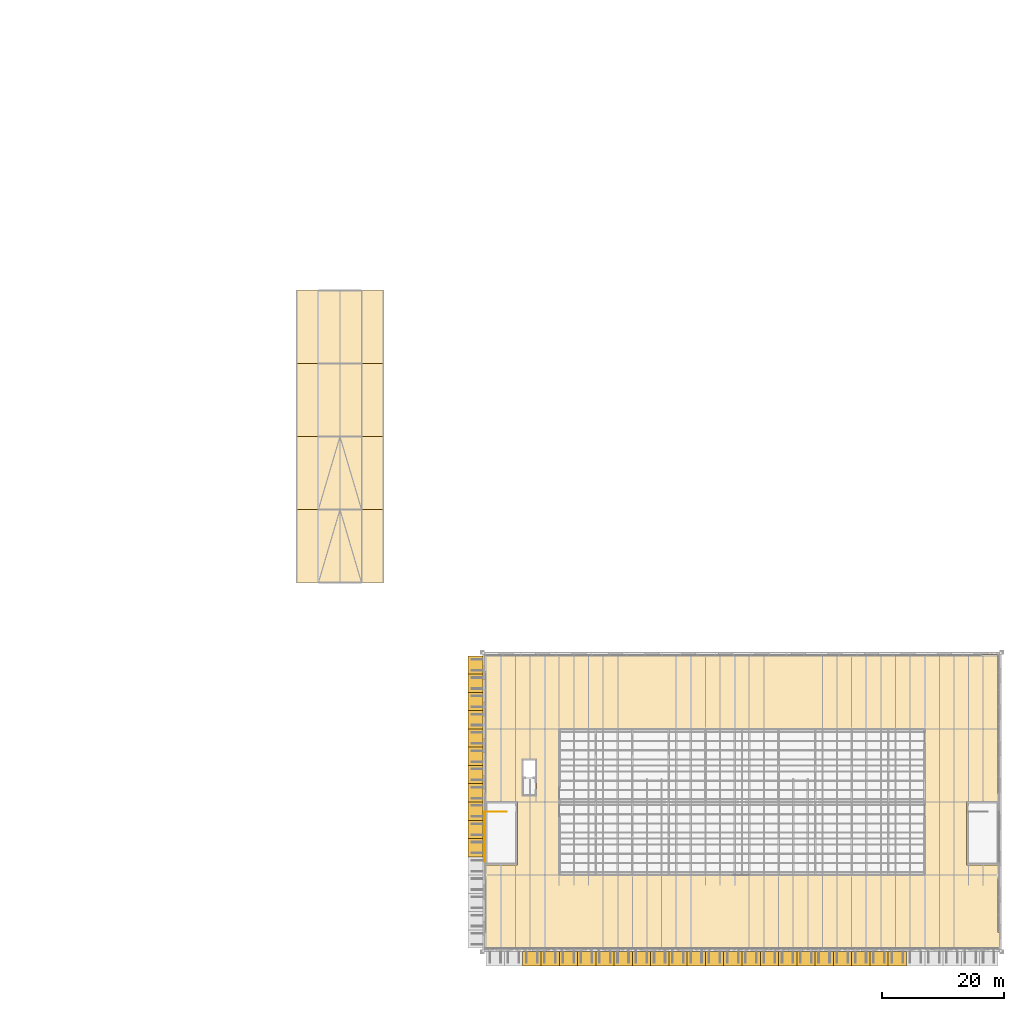
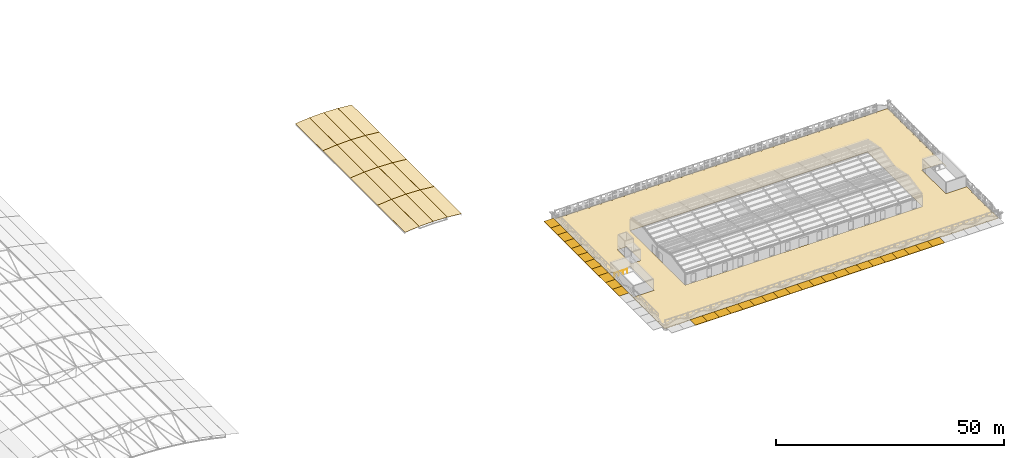
# One storey, part 89 of 91: 32 shading devices, 20 coverings, 1 railing.
"""IFC4 building model written with IfcOpenShell, lengths in metres."""

from ifc_helpers import new_model, si_unit, direction, frame, origin, origin_2d, place, context, subcontext, project, spatial, polyline, rectangle, circle, outline, extrude, material, layer, layer_set, type_object, element, save


model = new_model("IFC4")

# Units and contexts
model_context = context("Model", 3, precision=1e-05, world=origin(), true_north=direction((0.0, 1.0)))
body_context = subcontext(model_context, "Body", "Model", "MODEL_VIEW")
ifc_project = project(units=[si_unit("LENGTHUNIT", "METRE"), si_unit("AREAUNIT", "SQUARE_METRE"), si_unit("VOLUMEUNIT", "CUBIC_METRE"), si_unit("PLANEANGLEUNIT", "RADIAN"), si_unit("MASSUNIT", "GRAM", prefix="KILO")], contexts=[model_context])

# Site, building, storey
site_placement = place(None, origin())
site = spatial("IfcSite", under=ifc_project, at=site_placement, CompositionType="ELEMENT")
building_placement = place(site_placement, origin())
building = spatial("IfcBuilding", under=site, at=building_placement, Name="Ravi Spectrum Wholesale Market", CompositionType="ELEMENT")
storey_placement = place(building_placement, frame((0.0, 0.0, 16.199951171875)))
storey = spatial("IfcBuildingStorey", under=building, at=storey_placement, Name="ROOF PLANT LEVEL", CompositionType="ELEMENT", Elevation=16.199951171875)

# Railing
ifc_material_1 = material(Name="Steel S355", Category="steel")
railing_type = type_object("IfcRailingType", Name="Guard 1100", PredefinedType="GUARDRAIL", material=ifc_material_1)
railing_placement = place(storey_placement, frame((198.14990234375, 40.39990234375, 0.0)))
element("IfcRailing", 1, at=railing_placement, inside=storey, type_object=railing_type, Name="ROOF PLANT LEVEL S-CS-1 top well guard 1", PredefinedType="GUARDRAIL", context=body_context, shape_type="SweptSolid", body=[
    extrude(circle(Radius=0.02392578125, at=origin_2d()), frame((0.0, 0.0, 1.076171875), z_axis=(1.0, 0.0, 0.0), x_axis=(0.0, 1.0, 0.0)), (0.0, 0.0, 1.0), 3.2001953125),
    extrude(circle(Radius=0.02099609375, at=origin_2d()), origin(), (0.0, 0.0, 1.0), 1.052001953125),
    extrude(circle(Radius=0.02099609375, at=origin_2d()), frame((1.066650390625, 0.0, 0.0)), (0.0, 0.0, 1.0), 1.052001953125),
    extrude(circle(Radius=0.02099609375, at=origin_2d()), frame((2.133544921875, 0.0, 0.0)), (0.0, 0.0, 1.0), 1.052001953125),
    extrude(circle(Radius=0.02099609375, at=origin_2d()), frame((3.2001953125, 0.0, 0.0)), (0.0, 0.0, 1.0), 1.052001953125),
])

# Shading devices
ifc_material_2 = material(Name="Powder-coated aluminium louvres", Category="aluminium")
ifc_layer_1 = layer(ifc_material_2, 0.1201171875)
ifc_layer_set_1 = layer_set([ifc_layer_1], Name="Powder-coated aluminium louvres")
shading_device_type = type_object("IfcShadingDeviceType", Name="Louvred sunshade canopy 3000 x 2400 x 120", PredefinedType="USERDEFINED", material=ifc_layer_set_1)
for number, where, z_axis, x_axis, name in (
    (2, (205.5, 16.25, 0.3798828125), (0.0, 0.0, 1.0), (1.0, 0.0, 0.0), "Louvred sunshade canopy"),
    (3, (208.5, 16.25, 0.3798828125), (0.0, 0.0, 1.0), (1.0, 0.0, 0.0), "Louvred sunshade canopy"),
    (4, (211.5, 16.25, 0.3798828125), (0.0, 0.0, 1.0), (1.0, 0.0, 0.0), "Louvred sunshade canopy"),
    (5, (214.5, 16.25, 0.3798828125), (0.0, 0.0, 1.0), (1.0, 0.0, 0.0), "Louvred sunshade canopy"),
    (6, (217.5, 16.25, 0.3798828125), (0.0, 0.0, 1.0), (1.0, 0.0, 0.0), "Louvred sunshade canopy"),
    (7, (220.5, 16.25, 0.3798828125), (0.0, 0.0, 1.0), (1.0, 0.0, 0.0), "Louvred sunshade canopy"),
    (8, (223.5, 16.25, 0.3798828125), (0.0, 0.0, 1.0), (1.0, 0.0, 0.0), "Louvred sunshade canopy"),
    (9, (226.5, 16.25, 0.3798828125), (0.0, 0.0, 1.0), (1.0, 0.0, 0.0), "Louvred sunshade canopy"),
    (10, (229.5, 16.25, 0.3798828125), (0.0, 0.0, 1.0), (1.0, 0.0, 0.0), "Louvred sunshade canopy"),
    (11, (232.5, 16.25, 0.3798828125), (0.0, 0.0, 1.0), (1.0, 0.0, 0.0), "Louvred sunshade canopy"),
    (12, (235.5, 16.25, 0.3798828125), (0.0, 0.0, 1.0), (1.0, 0.0, 0.0), "Louvred sunshade canopy"),
    (13, (238.5, 16.25, 0.3798828125), (0.0, 0.0, 1.0), (1.0, 0.0, 0.0), "Louvred sunshade canopy"),
    (14, (241.5, 16.25, 0.3798828125), (0.0, 0.0, 1.0), (1.0, 0.0, 0.0), "Louvred sunshade canopy"),
    (15, (244.5, 16.25, 0.3798828125), (0.0, 0.0, 1.0), (1.0, 0.0, 0.0), "Louvred sunshade canopy"),
    (16, (247.5, 16.25, 0.3798828125), (0.0, 0.0, 1.0), (1.0, 0.0, 0.0), "Louvred sunshade canopy"),
    (17, (250.5, 16.25, 0.3798828125), (0.0, 0.0, 1.0), (1.0, 0.0, 0.0), "Louvred sunshade canopy"),
    (18, (253.5, 16.25, 0.3798828125), (0.0, 0.0, 1.0), (1.0, 0.0, 0.0), "Louvred sunshade canopy"),
    (19, (256.5, 16.25, 0.3798828125), (0.0, 0.0, 1.0), (1.0, 0.0, 0.0), "Louvred sunshade canopy"),
    (20, (259.5, 16.25, 0.3798828125), (0.0, 0.0, 1.0), (1.0, 0.0, 0.0), "Louvred sunshade canopy"),
    (21, (262.5, 16.25, 0.3798828125), (0.0, 0.0, 1.0), (1.0, 0.0, 0.0), "Louvred sunshade canopy"),
    (22, (265.5, 16.25, 0.3798828125), (0.0, 0.0, 1.0), (1.0, 0.0, 0.0), "Louvred sunshade canopy"),
):
    element("IfcShadingDevice", number, at=place(storey_placement, frame(where, z_axis=z_axis, x_axis=x_axis)), inside=storey, type_object=shading_device_type, Name=name, ObjectType="SUNSHADE", PredefinedType="USERDEFINED", context=body_context, shape_type="SweptSolid", body=[
        extrude(rectangle(XDim=3.0, YDim=2.39990234375, at=origin_2d()), origin(), (0.0, 0.0, 1.0), 0.1201171875),
    ])
for number, where, z_axis, x_axis, name in (
    (23, (196.25, 34.5, 0.3798828125), (0.0, 0.0, 1.0), (1.0, 0.0, 0.0), "Louvred sunshade canopy"),
    (24, (196.25, 37.5, 0.3798828125), (0.0, 0.0, 1.0), (1.0, 0.0, 0.0), "Louvred sunshade canopy"),
    (25, (196.25, 40.5, 0.3798828125), (0.0, 0.0, 1.0), (1.0, 0.0, 0.0), "Louvred sunshade canopy"),
    (26, (196.25, 43.5, 0.3798828125), (0.0, 0.0, 1.0), (1.0, 0.0, 0.0), "Louvred sunshade canopy"),
    (27, (196.25, 46.5, 0.3798828125), (0.0, 0.0, 1.0), (1.0, 0.0, 0.0), "Louvred sunshade canopy"),
    (28, (196.25, 49.5, 0.3798828125), (0.0, 0.0, 1.0), (1.0, 0.0, 0.0), "Louvred sunshade canopy"),
    (29, (196.25, 52.5, 0.3798828125), (0.0, 0.0, 1.0), (1.0, 0.0, 0.0), "Louvred sunshade canopy"),
    (30, (196.25, 55.5, 0.3798828125), (0.0, 0.0, 1.0), (1.0, 0.0, 0.0), "Louvred sunshade canopy"),
    (31, (196.25, 58.5, 0.3798828125), (0.0, 0.0, 1.0), (1.0, 0.0, 0.0), "Louvred sunshade canopy"),
    (32, (196.25, 61.5, 0.3798828125), (0.0, 0.0, 1.0), (1.0, 0.0, 0.0), "Louvred sunshade canopy"),
    (33, (196.25, 64.5, 0.3798828125), (0.0, 0.0, 1.0), (1.0, 0.0, 0.0), "Louvred sunshade canopy"),
):
    element("IfcShadingDevice", number, at=place(storey_placement, frame(where, z_axis=z_axis, x_axis=x_axis)), inside=storey, type_object=shading_device_type, Name=name, ObjectType="SUNSHADE", PredefinedType="USERDEFINED", context=body_context, shape_type="SweptSolid", body=[
        extrude(rectangle(XDim=2.39990234375, YDim=3.0, at=origin_2d()), origin(), (0.0, 0.0, 1.0), 0.1201171875),
    ])

# Coverings
ifc_material_3 = material(Name="Bituminous membrane")
ifc_layer_2 = layer(ifc_material_3, 0.0400390625)
ifc_layer_set_2 = layer_set([ifc_layer_2], Name="Bituminous membrane")
covering_type_1 = type_object("IfcCoveringType", Name="Roof membrane 40", PredefinedType="ROOFING", material=ifc_layer_set_2)
covering_1_placement = place(storey_placement, origin())
element("IfcCovering", 34, at=covering_1_placement, inside=storey, type_object=covering_type_1, Name="Roof covering", PredefinedType="ROOFING", context=body_context, shape_type="SweptSolid", body=[
    extrude(outline(polyline([(209.337646484375, 17.75), (206.710693359375, 17.75), (206.710693359375, 17.989990234375), (206.4306640625, 17.989990234375), (206.4306640625, 17.75), (203.8037109375, 17.75), (203.8037109375, 17.989990234375), (203.523681640625, 17.989990234375), (203.523681640625, 17.75), (200.89697265625, 17.75), (200.89697265625, 17.989990234375), (200.616943359375, 17.989990234375), (200.616943359375, 17.75), (197.989990234375, 17.75), (197.989990234375, 17.989990234375), (197.75, 17.989990234375), (197.75, 20.55126953125), (197.989990234375, 20.55126953125), (197.989990234375, 20.831298828125), (197.75, 20.831298828125), (197.75, 23.392333984375), (197.989990234375, 23.392333984375), (197.989990234375, 23.67236328125), (197.75, 23.67236328125), (197.75, 26.2333984375), (197.989990234375, 26.2333984375), (197.989990234375, 26.513427734375), (197.75, 26.513427734375), (197.75, 29.07470703125), (197.989990234375, 29.07470703125), (197.989990234375, 29.354736328125), (197.75, 29.354736328125), (197.75, 31.916015625), (197.875, 31.916015625), (197.875, 31.675048828125), (203.125, 31.675048828125), (203.125, 42.125), (197.875, 42.125), (197.875, 40.719482421875), (197.75, 40.719482421875), (197.75, 43.280517578125), (197.989990234375, 43.280517578125), (197.989990234375, 43.560546875), (197.75, 43.560546875), (197.75, 46.121826171875), (197.989990234375, 46.121826171875), (197.989990234375, 46.40185546875), (197.75, 46.40185546875), (197.75, 48.962890625), (197.989990234375, 48.962890625), (197.989990234375, 49.242919921875), (197.75, 49.242919921875), (197.75, 51.80419921875), (197.989990234375, 51.80419921875), (197.989990234375, 52.083984375), (197.75, 52.083984375), (197.75, 54.645263671875), (197.989990234375, 54.645263671875), (197.989990234375, 54.92529296875), (197.75, 54.92529296875), (197.75, 57.486572265625), (197.989990234375, 57.486572265625), (197.989990234375, 57.7666015625), (197.75, 57.7666015625), (197.75, 60.32763671875), (197.989990234375, 60.32763671875), (197.989990234375, 60.607666015625), (197.75, 60.607666015625), (197.75, 63.168701171875), (197.989990234375, 63.168701171875), (197.989990234375, 63.44873046875), (197.75, 63.44873046875), (197.75, 66.010009765625), (197.989990234375, 66.010009765625), (197.989990234375, 66.25), (200.616943359375, 66.25), (200.616943359375, 66.010009765625), (200.89697265625, 66.010009765625), (200.89697265625, 66.25), (203.523681640625, 66.25), (203.523681640625, 66.010009765625), (203.8037109375, 66.010009765625), (203.8037109375, 66.25), (206.4306640625, 66.25), (206.4306640625, 66.010009765625), (206.710693359375, 66.010009765625), (206.710693359375, 66.25), (209.337646484375, 66.25), (209.337646484375, 66.010009765625), (209.61767578125, 66.010009765625), (209.61767578125, 66.25), (212.244384765625, 66.25), (212.244384765625, 66.010009765625), (212.5244140625, 66.010009765625), (212.5244140625, 66.25), (215.1513671875, 66.25), (215.1513671875, 66.010009765625), (215.431396484375, 66.010009765625), (215.431396484375, 66.25), (218.058349609375, 66.25), (218.058349609375, 66.010009765625), (218.33837890625, 66.010009765625), (218.33837890625, 66.25), (220.965087890625, 66.25), (220.965087890625, 66.010009765625), (221.2451171875, 66.010009765625), (221.2451171875, 66.25), (223.8720703125, 66.25), (223.8720703125, 66.010009765625), (224.152099609375, 66.010009765625), (224.152099609375, 66.25), (226.779052734375, 66.25), (226.779052734375, 66.010009765625), (227.05908203125, 66.010009765625), (227.05908203125, 66.25), (229.685791015625, 66.25), (229.685791015625, 66.010009765625), (229.9658203125, 66.010009765625), (229.9658203125, 66.25), (232.5927734375, 66.25), (232.5927734375, 66.010009765625), (232.872802734375, 66.010009765625), (232.872802734375, 66.25), (235.499755859375, 66.25), (235.499755859375, 66.010009765625), (235.77978515625, 66.010009765625), (235.77978515625, 66.25), (238.406494140625, 66.25), (238.406494140625, 66.010009765625), (238.6865234375, 66.010009765625), (238.6865234375, 66.25), (241.3134765625, 66.25), (241.3134765625, 66.010009765625), (241.593505859375, 66.010009765625), (241.593505859375, 66.25), (244.22021484375, 66.25), (244.22021484375, 66.010009765625), (244.500244140625, 66.010009765625), (244.500244140625, 66.25), (247.127197265625, 66.25), (247.127197265625, 66.010009765625), (247.4072265625, 66.010009765625), (247.4072265625, 66.25), (250.0341796875, 66.25), (250.0341796875, 66.010009765625), (250.314208984375, 66.010009765625), (250.314208984375, 66.25), (252.94091796875, 66.25), (252.94091796875, 66.010009765625), (253.220947265625, 66.010009765625), (253.220947265625, 66.25), (255.847900390625, 66.25), (255.847900390625, 66.010009765625), (256.1279296875, 66.010009765625), (256.1279296875, 66.25), (258.7548828125, 66.25), (258.7548828125, 66.010009765625), (259.034912109375, 66.010009765625), (259.034912109375, 66.25), (261.66162109375, 66.25), (261.66162109375, 66.010009765625), (261.941650390625, 66.010009765625), (261.941650390625, 66.25), (264.568603515625, 66.25), (264.568603515625, 66.010009765625), (264.8486328125, 66.010009765625), (264.8486328125, 66.25), (267.4755859375, 66.25), (267.4755859375, 66.010009765625), (267.755615234375, 66.010009765625), (267.755615234375, 66.25), (270.38232421875, 66.25), (270.38232421875, 66.010009765625), (270.662353515625, 66.010009765625), (270.662353515625, 66.25), (273.289306640625, 66.25), (273.289306640625, 66.010009765625), (273.5693359375, 66.010009765625), (273.5693359375, 66.25), (276.1962890625, 66.25), (276.1962890625, 66.010009765625), (276.476318359375, 66.010009765625), (276.476318359375, 66.25), (279.10302734375, 66.25), (279.10302734375, 66.010009765625), (279.383056640625, 66.010009765625), (279.383056640625, 66.25), (282.010009765625, 66.25), (282.010009765625, 66.010009765625), (282.25, 66.010009765625), (282.25, 63.44873046875), (282.010009765625, 63.44873046875), (282.010009765625, 63.168701171875), (282.25, 63.168701171875), (282.25, 60.607666015625), (282.010009765625, 60.607666015625), (282.010009765625, 60.32763671875), (282.25, 60.32763671875), (282.25, 57.7666015625), (282.010009765625, 57.7666015625), (282.010009765625, 57.486572265625), (282.25, 57.486572265625), (282.25, 54.92529296875), (282.010009765625, 54.92529296875), (282.010009765625, 54.645263671875), (282.25, 54.645263671875), (282.25, 52.083984375), (282.010009765625, 52.083984375), (282.010009765625, 51.80419921875), (282.25, 51.80419921875), (282.25, 49.242919921875), (282.010009765625, 49.242919921875), (282.010009765625, 48.962890625), (282.25, 48.962890625), (282.25, 46.40185546875), (282.010009765625, 46.40185546875), (282.010009765625, 46.121826171875), (282.25, 46.121826171875), (282.25, 43.560546875), (282.010009765625, 43.560546875), (282.010009765625, 43.280517578125), (282.25, 43.280517578125), (282.25, 40.719482421875), (282.125, 40.719482421875), (282.125, 42.125), (276.875, 42.125), (276.875, 31.675048828125), (282.125, 31.675048828125), (282.125, 31.916015625), (282.25, 31.916015625), (282.25, 29.354736328125), (282.010009765625, 29.354736328125), (282.010009765625, 29.07470703125), (282.25, 29.07470703125), (282.25, 26.513427734375), (282.010009765625, 26.513427734375), (282.010009765625, 26.2333984375), (282.25, 26.2333984375), (282.25, 23.67236328125), (282.010009765625, 23.67236328125), (282.010009765625, 23.392333984375), (282.25, 23.392333984375), (282.25, 20.831298828125), (282.010009765625, 20.831298828125), (282.010009765625, 20.55126953125), (282.25, 20.55126953125), (282.25, 17.989990234375), (282.010009765625, 17.989990234375), (282.010009765625, 17.75), (279.383056640625, 17.75), (279.383056640625, 17.989990234375), (279.10302734375, 17.989990234375), (279.10302734375, 17.75), (276.476318359375, 17.75), (276.476318359375, 17.989990234375), (276.1962890625, 17.989990234375), (276.1962890625, 17.75), (273.5693359375, 17.75), (273.5693359375, 17.989990234375), (273.289306640625, 17.989990234375), (273.289306640625, 17.75), (270.662353515625, 17.75), (270.662353515625, 17.989990234375), (270.38232421875, 17.989990234375), (270.38232421875, 17.75), (267.755615234375, 17.75), (267.755615234375, 17.989990234375), (267.4755859375, 17.989990234375), (267.4755859375, 17.75), (264.8486328125, 17.75), (264.8486328125, 17.989990234375), (264.568603515625, 17.989990234375), (264.568603515625, 17.75), (261.941650390625, 17.75), (261.941650390625, 17.989990234375), (261.66162109375, 17.989990234375), (261.66162109375, 17.75), (259.034912109375, 17.75), (259.034912109375, 17.989990234375), (258.7548828125, 17.989990234375), (258.7548828125, 17.75), (256.1279296875, 17.75), (256.1279296875, 17.989990234375), (255.847900390625, 17.989990234375), (255.847900390625, 17.75), (253.220947265625, 17.75), (253.220947265625, 17.989990234375), (252.94091796875, 17.989990234375), (252.94091796875, 17.75), (250.314208984375, 17.75), (250.314208984375, 17.989990234375), (250.0341796875, 17.989990234375), (250.0341796875, 17.75), (247.4072265625, 17.75), (247.4072265625, 17.989990234375), (247.127197265625, 17.989990234375), (247.127197265625, 17.75), (244.500244140625, 17.75), (244.500244140625, 17.989990234375), (244.22021484375, 17.989990234375), (244.22021484375, 17.75), (241.593505859375, 17.75), (241.593505859375, 17.989990234375), (241.3134765625, 17.989990234375), (241.3134765625, 17.75), (238.6865234375, 17.75), (238.6865234375, 17.989990234375), (238.406494140625, 17.989990234375), (238.406494140625, 17.75), (235.77978515625, 17.75), (235.77978515625, 17.989990234375), (235.499755859375, 17.989990234375), (235.499755859375, 17.75), (232.872802734375, 17.75), (232.872802734375, 17.989990234375), (232.5927734375, 17.989990234375), (232.5927734375, 17.75), (229.9658203125, 17.75), (229.9658203125, 17.989990234375), (229.685791015625, 17.989990234375), (229.685791015625, 17.75), (227.05908203125, 17.75), (227.05908203125, 17.989990234375), (226.779052734375, 17.989990234375), (226.779052734375, 17.75), (224.152099609375, 17.75), (224.152099609375, 17.989990234375), (223.8720703125, 17.989990234375), (223.8720703125, 17.75), (221.2451171875, 17.75), (221.2451171875, 17.989990234375), (220.965087890625, 17.989990234375), (220.965087890625, 17.75), (218.33837890625, 17.75), (218.33837890625, 17.989990234375), (218.058349609375, 17.989990234375), (218.058349609375, 17.75), (215.431396484375, 17.75), (215.431396484375, 17.989990234375), (215.1513671875, 17.989990234375), (215.1513671875, 17.75), (212.5244140625, 17.75), (212.5244140625, 17.989990234375), (212.244384765625, 17.989990234375), (212.244384765625, 17.75), (209.61767578125, 17.75), (209.61767578125, 17.989990234375), (209.337646484375, 17.989990234375), (209.337646484375, 17.75)]), holes=[polyline([(210.0, 30.0), (270.0, 30.0), (270.0, 54.0), (210.0, 54.0), (210.0, 30.0)]), polyline([(203.875, 42.97509765625), (206.27490234375, 42.97509765625), (206.27490234375, 49.074951171875), (203.875, 49.074951171875), (203.875, 42.97509765625)])]), origin(), (0.0, 0.0, 1.0), 0.0400390625),
])
covering_2_placement = place(storey_placement, origin())
element("IfcCovering", 35, at=covering_2_placement, inside=storey, type_object=covering_type_1, Name="Roof covering", PredefinedType="ROOFING", context=body_context, shape_type="SweptSolid", body=[
    extrude(outline(polyline([(197.75, 32.19580078125), (197.75, 34.757080078125), (197.875, 34.757080078125), (197.875, 32.19580078125), (197.75, 32.19580078125)])), origin(), (0.0, 0.0, 1.0), 0.0400390625),
])
covering_3_placement = place(storey_placement, origin())
element("IfcCovering", 36, at=covering_3_placement, inside=storey, type_object=covering_type_1, Name="Roof covering", PredefinedType="ROOFING", context=body_context, shape_type="SweptSolid", body=[
    extrude(outline(polyline([(197.75, 35.037109375), (197.75, 37.59814453125), (197.875, 37.59814453125), (197.875, 35.037109375), (197.75, 35.037109375)])), origin(), (0.0, 0.0, 1.0), 0.0400390625),
])
covering_4_placement = place(storey_placement, origin())
element("IfcCovering", 37, at=covering_4_placement, inside=storey, type_object=covering_type_1, Name="Roof covering", PredefinedType="ROOFING", context=body_context, shape_type="SweptSolid", body=[
    extrude(outline(polyline([(197.75, 37.878173828125), (197.75, 40.439453125), (197.875, 40.439453125), (197.875, 37.878173828125), (197.75, 37.878173828125)])), origin(), (0.0, 0.0, 1.0), 0.0400390625),
])
ifc_material_4 = material(Name="Roofing membrane")
ifc_layer_3 = layer(ifc_material_4, 0.008056640625)
ifc_layer_set_3 = layer_set([ifc_layer_3], Name="Roofing membrane")
covering_type_2 = type_object("IfcCoveringType", Name="Roofing membrane 8", PredefinedType="ROOFING", material=ifc_layer_set_3)
covering_5_placement = place(storey_placement, frame((166.865966796875, 78.0, 0.1083984375), z_axis=(-0.094715502397, 0.0, 0.99550438151), x_axis=(0.99550438151, 0.0, 0.094715502397)))
element("IfcCovering", 38, at=covering_5_placement, inside=storey, type_object=covering_type_2, Name="H2-CV-ROOF-001", PredefinedType="ROOFING", context=body_context, shape_type="SweptSolid", body=[
    extrude(outline(polyline([(0.0, 0.0), (3.5700044561673514, 0.0), (3.5700044561673514, 11.999999999999998), (0.0, 11.999999999999998), (0.0, 0.0)])), origin(), (0.0, 0.0, -1.0), 0.008056640625),
])
for number, where, z_axis, x_axis, name in (
    (39, (170.427978515625, 78.0, 0.447021484375), (-0.031597735603, 0.0, 0.999500666886), (0.999500666886, 0.0, 0.031597735603), "H2-CV-ROOF-002"),
    (40, (174.004150390625, 78.0, 0.559814453125), (0.031597735603, 0.0, 0.999500666886), (0.999500666886, 0.0, -0.031597735603), "H2-CV-ROOF-003"),
):
    element("IfcCovering", number, at=place(storey_placement, frame(where, z_axis=z_axis, x_axis=x_axis)), inside=storey, type_object=covering_type_2, Name=name, PredefinedType="ROOFING", context=body_context, shape_type="SweptSolid", body=[
        extrude(outline(polyline([(0.0, 0.0), (3.5696535399694267, 0.0), (3.5696535399694267, 12.0), (0.0, 12.0), (0.0, 0.0)])), origin(), (0.0, 0.0, -1.0), 0.008056640625),
    ])
for number, where, z_axis, x_axis, name in (
    (41, (177.580078125, 78.0, 0.446533203125), (0.094715502397, 0.0, 0.99550438151), (0.99550438151, 0.0, -0.094715502397), "H2-CV-ROOF-004"),
    (42, (166.865966796875, 90.0, 0.1083984375), (-0.094715502397, 0.0, 0.99550438151), (0.99550438151, 0.0, 0.094715502397), "H2-CV-ROOF-005"),
):
    element("IfcCovering", number, at=place(storey_placement, frame(where, z_axis=z_axis, x_axis=x_axis)), inside=storey, type_object=covering_type_2, Name=name, PredefinedType="ROOFING", context=body_context, shape_type="SweptSolid", body=[
        extrude(outline(polyline([(0.0, 0.0), (3.5700044561673514, 0.0), (3.5700044561673514, 11.999999999999998), (0.0, 11.999999999999998), (0.0, 0.0)])), origin(), (0.0, 0.0, -1.0), 0.008056640625),
    ])
for number, where, z_axis, x_axis, name in (
    (43, (170.427978515625, 90.0, 0.447021484375), (-0.031597735603, 0.0, 0.999500666886), (0.999500666886, 0.0, 0.031597735603), "H2-CV-ROOF-006"),
    (44, (174.004150390625, 90.0, 0.559814453125), (0.031597735603, 0.0, 0.999500666886), (0.999500666886, 0.0, -0.031597735603), "H2-CV-ROOF-007"),
):
    element("IfcCovering", number, at=place(storey_placement, frame(where, z_axis=z_axis, x_axis=x_axis)), inside=storey, type_object=covering_type_2, Name=name, PredefinedType="ROOFING", context=body_context, shape_type="SweptSolid", body=[
        extrude(outline(polyline([(0.0, 0.0), (3.5696535399694267, 0.0), (3.5696535399694267, 12.0), (0.0, 12.0), (0.0, 0.0)])), origin(), (0.0, 0.0, -1.0), 0.008056640625),
    ])
for number, where, z_axis, x_axis, name in (
    (45, (177.580078125, 90.0, 0.446533203125), (0.094715502397, 0.0, 0.99550438151), (0.99550438151, 0.0, -0.094715502397), "H2-CV-ROOF-008"),
    (46, (166.865966796875, 102.0, 0.1083984375), (-0.094715502397, 0.0, 0.99550438151), (0.99550438151, 0.0, 0.094715502397), "H2-CV-ROOF-009"),
):
    element("IfcCovering", number, at=place(storey_placement, frame(where, z_axis=z_axis, x_axis=x_axis)), inside=storey, type_object=covering_type_2, Name=name, PredefinedType="ROOFING", context=body_context, shape_type="SweptSolid", body=[
        extrude(outline(polyline([(0.0, 0.0), (3.5700044561673514, 0.0), (3.5700044561673514, 11.999999999999998), (0.0, 11.999999999999998), (0.0, 0.0)])), origin(), (0.0, 0.0, -1.0), 0.008056640625),
    ])
for number, where, z_axis, x_axis, name in (
    (47, (170.427978515625, 102.0, 0.447021484375), (-0.031597735603, 0.0, 0.999500666886), (0.999500666886, 0.0, 0.031597735603), "H2-CV-ROOF-010"),
    (48, (174.004150390625, 102.0, 0.559814453125), (0.031597735603, 0.0, 0.999500666886), (0.999500666886, 0.0, -0.031597735603), "H2-CV-ROOF-011"),
):
    element("IfcCovering", number, at=place(storey_placement, frame(where, z_axis=z_axis, x_axis=x_axis)), inside=storey, type_object=covering_type_2, Name=name, PredefinedType="ROOFING", context=body_context, shape_type="SweptSolid", body=[
        extrude(outline(polyline([(0.0, 0.0), (3.5696535399694267, 0.0), (3.5696535399694267, 12.0), (0.0, 12.0), (0.0, 0.0)])), origin(), (0.0, 0.0, -1.0), 0.008056640625),
    ])
for number, where, z_axis, x_axis, name in (
    (49, (177.580078125, 102.0, 0.446533203125), (0.094715502397, 0.0, 0.99550438151), (0.99550438151, 0.0, -0.094715502397), "H2-CV-ROOF-012"),
    (50, (166.865966796875, 114.0, 0.1083984375), (-0.094715502397, 0.0, 0.99550438151), (0.99550438151, 0.0, 0.094715502397), "H2-CV-ROOF-013"),
):
    element("IfcCovering", number, at=place(storey_placement, frame(where, z_axis=z_axis, x_axis=x_axis)), inside=storey, type_object=covering_type_2, Name=name, PredefinedType="ROOFING", context=body_context, shape_type="SweptSolid", body=[
        extrude(outline(polyline([(0.0, 0.0), (3.5700044561673514, 0.0), (3.5700044561673514, 11.999999999999998), (0.0, 11.999999999999998), (0.0, 0.0)])), origin(), (0.0, 0.0, -1.0), 0.008056640625),
    ])
for number, where, z_axis, x_axis, name in (
    (51, (170.427978515625, 114.0, 0.447021484375), (-0.031597735603, 0.0, 0.999500666886), (0.999500666886, 0.0, 0.031597735603), "H2-CV-ROOF-014"),
    (52, (174.004150390625, 114.0, 0.559814453125), (0.031597735603, 0.0, 0.999500666886), (0.999500666886, 0.0, -0.031597735603), "H2-CV-ROOF-015"),
):
    element("IfcCovering", number, at=place(storey_placement, frame(where, z_axis=z_axis, x_axis=x_axis)), inside=storey, type_object=covering_type_2, Name=name, PredefinedType="ROOFING", context=body_context, shape_type="SweptSolid", body=[
        extrude(outline(polyline([(0.0, 0.0), (3.5696535399694267, 0.0), (3.5696535399694267, 12.0), (0.0, 12.0), (0.0, 0.0)])), origin(), (0.0, 0.0, -1.0), 0.008056640625),
    ])
covering_6_placement = place(storey_placement, frame((177.580078125, 114.0, 0.446533203125), z_axis=(0.094715502397, 0.0, 0.99550438151), x_axis=(0.99550438151, 0.0, -0.094715502397)))
element("IfcCovering", 53, at=covering_6_placement, inside=storey, type_object=covering_type_2, Name="H2-CV-ROOF-016", PredefinedType="ROOFING", context=body_context, shape_type="SweptSolid", body=[
    extrude(outline(polyline([(0.0, 0.0), (3.5700044561673514, 0.0), (3.5700044561673514, 11.999999999999998), (0.0, 11.999999999999998), (0.0, 0.0)])), origin(), (0.0, 0.0, -1.0), 0.008056640625),
])

save(model, "model.ifc")
